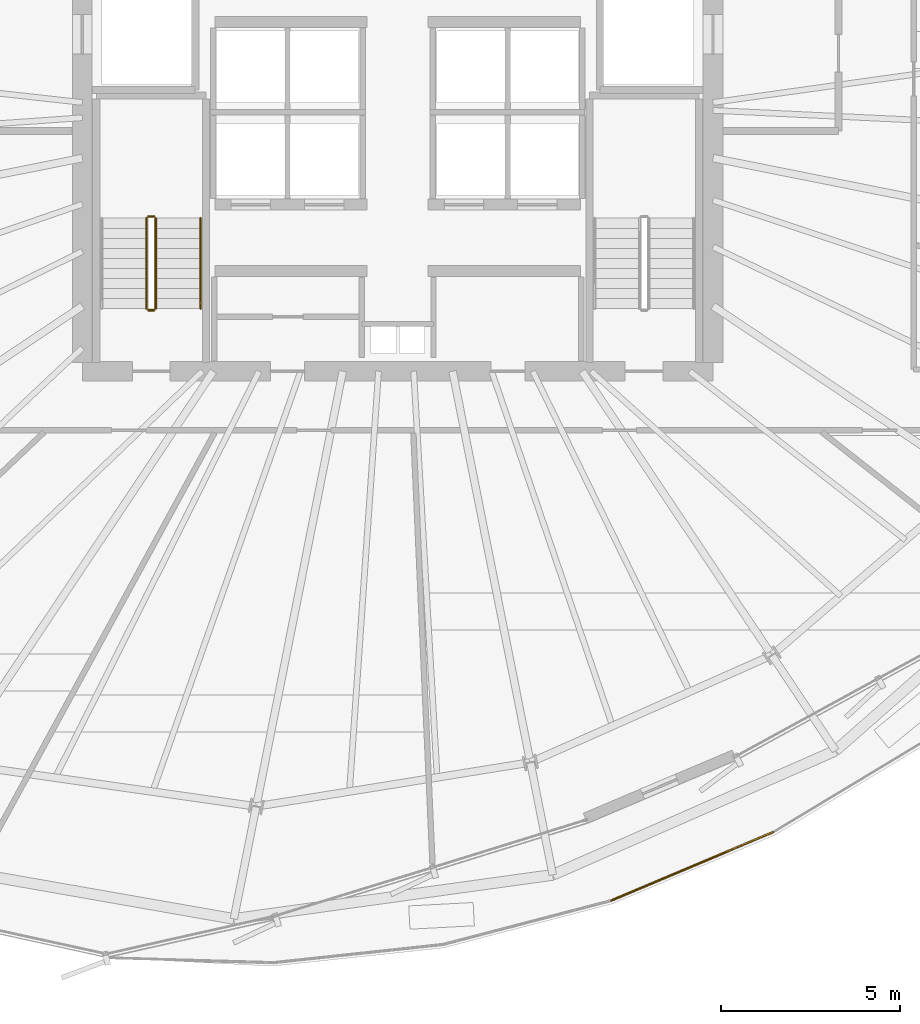
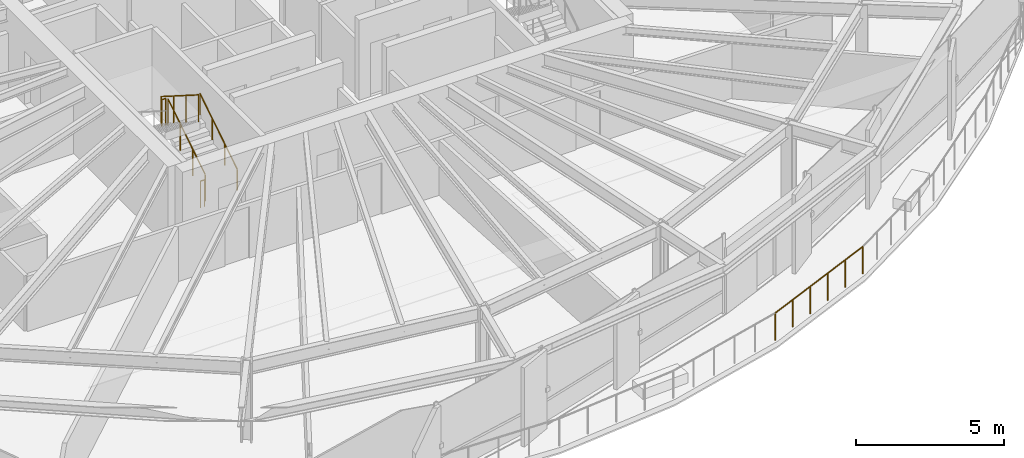
# One storey, part 33 of 36: 6 railings.
"""IFC4 building model written with IfcOpenShell, lengths in metres."""

from ifc_helpers import new_model, si_unit, direction, frame, origin, origin_2d, place, context, subcontext, project, spatial, circle, extrude, material, type_object, element, save


model = new_model("IFC4")

# Units and contexts
model_context = context("Model", 3, precision=1e-05, world=origin(), true_north=direction((0.0, 1.0)))
body_context = subcontext(model_context, "Body", "Model", "MODEL_VIEW")
ifc_project = project(units=[si_unit("LENGTHUNIT", "METRE"), si_unit("AREAUNIT", "SQUARE_METRE"), si_unit("VOLUMEUNIT", "CUBIC_METRE"), si_unit("PLANEANGLEUNIT", "RADIAN"), si_unit("MASSUNIT", "GRAM", prefix="KILO"), si_unit("THERMODYNAMICTEMPERATUREUNIT", "KELVIN")], contexts=[model_context])

# Site, building, storey
site_placement = place(None, origin())
site = spatial("IfcSite", under=ifc_project, at=site_placement, CompositionType="ELEMENT")
building_placement = place(site_placement, origin())
building = spatial("IfcBuilding", under=site, at=building_placement, Name="Kethvar Cultural Tower", CompositionType="ELEMENT")
storey_placement = place(building_placement, frame((0.0, 0.0, 143.0)))
storey = spatial("IfcBuildingStorey", under=building, at=storey_placement, Name="L36", CompositionType="ELEMENT", Elevation=143.0)

# Railings
ifc_material = material(Name="Steel S355J2", Category="steel")
railing_type_1 = type_object("IfcRailingType", Name="RL-EXT-GUARD-1150", PredefinedType="BALUSTRADE", material=ifc_material)
railing_1_placement = place(storey_placement, frame((52.762939453125, 5.32861328125, 0.0)))
element("IfcRailing", 1, at=railing_1_placement, inside=storey, type_object=railing_type_1, Name="L36 Spiralling Terrace Balustrade 04", PredefinedType="BALUSTRADE", context=body_context, shape_type="SweptSolid", body=[
    extrude(circle(Radius=0.02392578125, at=origin_2d()), frame((0.0, 0.0, 1.1259765625), z_axis=(0.921137663804, 0.389236951382, 0.0), x_axis=(-0.389236951382, 0.921137663804, 0.0)), (0.0, 0.0, 1.0), 4.901123046875),
    extrude(circle(Radius=0.02099609375, at=origin_2d()), origin(), (0.0, 0.0, 1.0), 1.101806640625),
    extrude(circle(Radius=0.02099609375, at=origin_2d()), frame((0.90283203125, 0.381591796875, 0.0)), (0.0, 0.0, 1.0), 1.101806640625),
    extrude(circle(Radius=0.02099609375, at=origin_2d()), frame((1.805908203125, 0.76318359375, 0.0)), (0.0, 0.0, 1.0), 1.101806640625),
    extrude(circle(Radius=0.02099609375, at=origin_2d()), frame((2.708740234375, 1.14453125, 0.0)), (0.0, 0.0, 1.0), 1.101806640625),
    extrude(circle(Radius=0.02099609375, at=origin_2d()), frame((3.61181640625, 1.526123046875, 0.0)), (0.0, 0.0, 1.0), 1.101806640625),
    extrude(circle(Radius=0.02099609375, at=origin_2d()), frame((4.5146484375, 1.90771484375, 0.0)), (0.0, 0.0, 1.0), 1.101806640625),
])
railing_type_2 = type_object("IfcRailingType", Name="RL-STAIR-GUARD", PredefinedType="BALUSTRADE", material=ifc_material)
railing_2_placement = place(storey_placement, frame((40.050048828125, 21.85009765625, 0.177490234375)))
element("IfcRailing", 2, at=railing_2_placement, inside=storey, type_object=railing_type_2, Name="L36 ST-01 stair guard 1", PredefinedType="BALUSTRADE", context=body_context, shape_type="SweptSolid", body=[
    extrude(circle(Radius=0.02392578125, at=origin_2d()), frame((0.0, 0.0, 1.09619140625), z_axis=(0.0, 0.84460694969, 0.535386869969), x_axis=(-1.0, 0.0, 0.0)), (0.0, 0.0, 1.0), 2.983642578125),
    extrude(circle(Radius=0.02099609375, at=origin_2d()), origin(), (0.0, 0.0, 1.0), 1.072021484375),
    extrude(circle(Radius=0.02099609375, at=origin_2d()), frame((0.0, 0.840087890625, 0.532470703125)), (0.0, 0.0, 1.0), 1.072021484375),
    extrude(circle(Radius=0.02099609375, at=origin_2d()), frame((0.0, 1.679931640625, 1.06494140625)), (0.0, 0.0, 1.0), 1.072021484375),
    extrude(circle(Radius=0.02099609375, at=origin_2d()), frame((0.0, 2.52001953125, 1.597412109375)), (0.0, 0.0, 1.0), 1.072021484375),
])
railing_3_placement = place(storey_placement, frame((40.0, 24.419921875, 1.77490234375)))
element("IfcRailing", 3, at=railing_3_placement, inside=storey, type_object=railing_type_2, Name="L36 ST-01 stair guard 2", PredefinedType="BALUSTRADE", context=body_context, shape_type="SweptSolid", body=[
    extrude(circle(Radius=0.02392578125, at=origin_2d()), frame((0.0, 0.0, 1.09619140625), z_axis=(-1.0, 0.0, 0.0), x_axis=(0.0, -1.0, 0.0)), (0.0, 0.0, 1.0), 0.159912109375),
    extrude(circle(Radius=0.02099609375, at=origin_2d()), origin(), (0.0, 0.0, 1.0), 1.072021484375),
    extrude(circle(Radius=0.02099609375, at=origin_2d()), frame((-0.159912109375, 0.0, 0.0)), (0.0, 0.0, 1.0), 1.072021484375),
])
railing_4_placement = place(storey_placement, frame((39.7900390625, 24.3701171875, 1.952392578125)))
element("IfcRailing", 4, at=railing_4_placement, inside=storey, type_object=railing_type_2, Name="L36 ST-01 stair guard 3", PredefinedType="BALUSTRADE", context=body_context, shape_type="SweptSolid", body=[
    extrude(circle(Radius=0.02392578125, at=origin_2d()), frame((0.0, 0.0, 1.09619140625), z_axis=(0.0, -0.84456994832, 0.535445237532), x_axis=(1.0, 0.0, 0.0)), (0.0, 0.0, 1.0), 2.98388671875),
    extrude(circle(Radius=0.02099609375, at=origin_2d()), origin(), (0.0, 0.0, 1.0), 1.072021484375),
    extrude(circle(Radius=0.02099609375, at=origin_2d()), frame((0.0, -0.840087890625, 0.532470703125)), (0.0, 0.0, 1.0), 1.072021484375),
    extrude(circle(Radius=0.02099609375, at=origin_2d()), frame((0.0, -1.679931640625, 1.065185546875)), (0.0, 0.0, 1.0), 1.072021484375),
    extrude(circle(Radius=0.02099609375, at=origin_2d()), frame((0.0, -2.52001953125, 1.59765625)), (0.0, 0.0, 1.0), 1.072021484375),
])
railing_5_placement = place(storey_placement, frame((40.0, 21.800048828125, 0.0)))
element("IfcRailing", 5, at=railing_5_placement, inside=storey, type_object=railing_type_2, Name="L36 ST-01 stair guard 4", PredefinedType="BALUSTRADE", context=body_context, shape_type="SweptSolid", body=[
    extrude(circle(Radius=0.02392578125, at=origin_2d()), frame((0.0, 0.0, 1.09619140625), z_axis=(-1.0, 0.0, 0.0), x_axis=(0.0, -1.0, 0.0)), (0.0, 0.0, 1.0), 0.159912109375),
    extrude(circle(Radius=0.02099609375, at=origin_2d()), origin(), (0.0, 0.0, 1.0), 1.072021484375),
    extrude(circle(Radius=0.02099609375, at=origin_2d()), frame((-0.159912109375, 0.0, 0.0)), (0.0, 0.0, 1.0), 1.072021484375),
])
railing_type_3 = type_object("IfcRailingType", Name="RL-STAIR-HANDRAIL", PredefinedType="HANDRAIL", material=ifc_material)
railing_6_placement = place(storey_placement, frame((41.300048828125, 21.85009765625, 0.177490234375)))
element("IfcRailing", 6, at=railing_6_placement, inside=storey, type_object=railing_type_3, Name="L36 ST-01 stair handrail 1", PredefinedType="HANDRAIL", context=body_context, shape_type="SweptSolid", body=[
    extrude(circle(Radius=0.02392578125, at=origin_2d()), frame((0.0, 0.0, 0.8759765625), z_axis=(0.0, 0.84460694969, 0.535386869969), x_axis=(-1.0, 0.0, 0.0)), (0.0, 0.0, 1.0), 2.983642578125),
    extrude(circle(Radius=0.02099609375, at=origin_2d()), origin(), (0.0, 0.0, 1.0), 0.851806640625),
    extrude(circle(Radius=0.02099609375, at=origin_2d()), frame((0.0, 0.840087890625, 0.532470703125)), (0.0, 0.0, 1.0), 0.851806640625),
    extrude(circle(Radius=0.02099609375, at=origin_2d()), frame((0.0, 1.679931640625, 1.06494140625)), (0.0, 0.0, 1.0), 0.851806640625),
    extrude(circle(Radius=0.02099609375, at=origin_2d()), frame((0.0, 2.52001953125, 1.597412109375)), (0.0, 0.0, 1.0), 0.851806640625),
])

save(model, "model.ifc")
